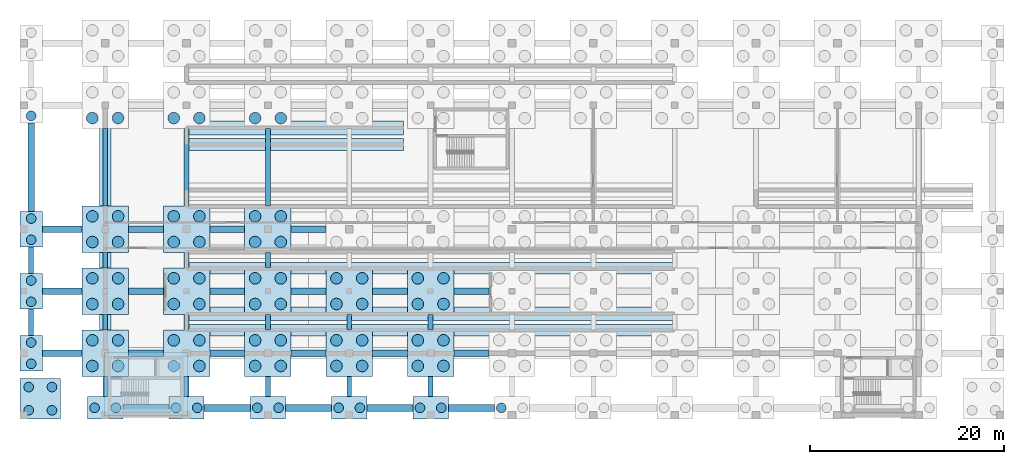
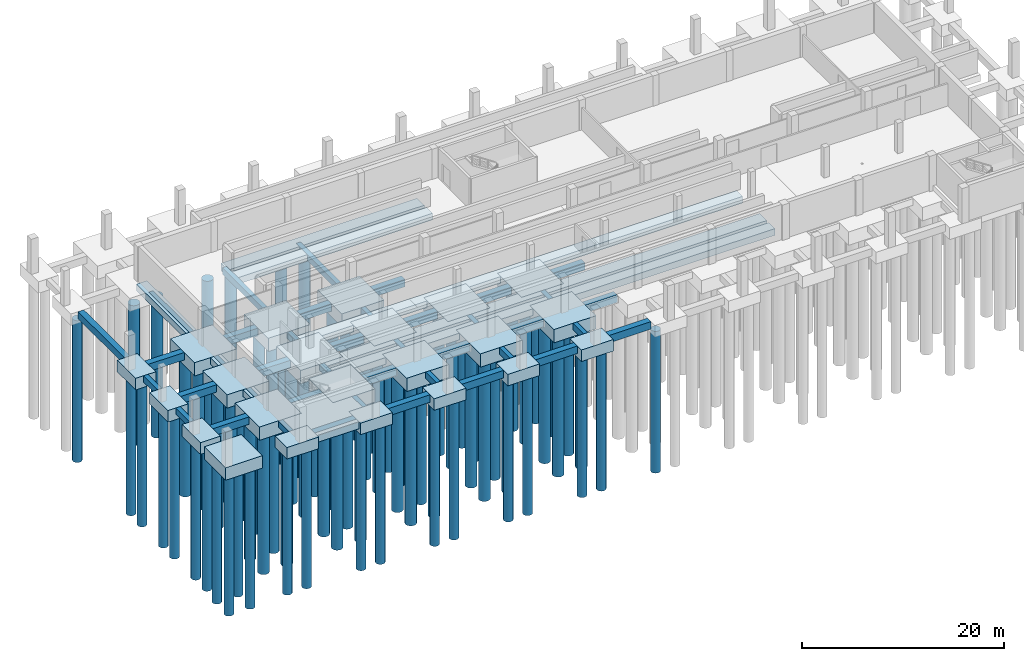
# One storey, part 1 of 9: 80 piles, 69 footings.
"""IFC4 building model written with IfcOpenShell, lengths in metres."""

from ifc_helpers import new_model, si_unit, direction, frame, origin, origin_2d, place, context, subcontext, project, spatial, polyline, rectangle, circle, outline, extrude, material, material_profile, profile_set, type_object, element, save


model = new_model("IFC4")

# Units and contexts
model_context = context("Model", 3, precision=1e-05, world=origin(), true_north=direction((0.0, 1.0)))
body_context = subcontext(model_context, "Body", "Model", "MODEL_VIEW")
ifc_project = project(units=[si_unit("LENGTHUNIT", "METRE"), si_unit("AREAUNIT", "SQUARE_METRE"), si_unit("VOLUMEUNIT", "CUBIC_METRE"), si_unit("PLANEANGLEUNIT", "RADIAN"), si_unit("MASSUNIT", "GRAM", prefix="KILO")], contexts=[model_context])

# Site, building, storey
site_placement = place(None, origin())
site = spatial("IfcSite", under=ifc_project, at=site_placement, CompositionType="ELEMENT")
building_placement = place(site_placement, origin())
building = spatial("IfcBuilding", under=site, at=building_placement, Name="Kazenagashi Tramway Depot", CompositionType="ELEMENT")
storey_placement = place(building_placement, frame((0.0, 0.0, -4.0)))
storey = spatial("IfcBuildingStorey", under=building, at=storey_placement, Name="B01", CompositionType="ELEMENT", Elevation=-4.0)

# Piles
ifc_material = material(Name="Concrete Fc30", Category="concrete")
ifc_material_profile_1 = material_profile(ifc_material, circle(Radius=0.5, at=origin_2d()), Name="PILE-1000")
ifc_profile_set_1 = profile_set([ifc_material_profile_1], Name="Concrete Fc30")
pile_type_1 = type_object("IfcPileType", Name="BP-01", PredefinedType="BORED", material=ifc_profile_set_1)
for number, where, z_axis, x_axis, name in (
    (1, (45.3, 17.0, -2.0), (0.0, 0.0, -1.0), (1.0, 0.0, 0.0), "Bored Pile BP-01 PILE-0209"),
    (2, (47.7, 17.0, -2.0), (0.0, 0.0, -1.0), (1.0, 0.0, 0.0), "Bored Pile BP-01 PILE-0210"),
    (3, (45.3, 19.4, -2.0), (0.0, 0.0, -1.0), (1.0, 0.0, 0.0), "Bored Pile BP-01 PILE-0211"),
    (4, (47.7, 19.4, -2.0), (0.0, 0.0, -1.0), (1.0, 0.0, 0.0), "Bored Pile BP-01 PILE-0212"),
):
    element("IfcPile", number, at=place(storey_placement, frame(where, z_axis=z_axis, x_axis=x_axis)), inside=storey, type_object=pile_type_1, Name=name, PredefinedType="BORED", context=body_context, shape_type="SweptSolid", body=[
        extrude(circle(Radius=0.5, at=origin_2d()), origin(), (0.0, 0.0, 1.0), 17.0),
    ])
for number, where, z_axis, x_axis, name in (
    (5, (45.55, 21.8, -1.9), (0.0, 0.0, -1.0), (1.0, 0.0, 0.0), "Bored Pile BP-01 PILE-0213"),
    (6, (45.55, 24.0, -1.9), (0.0, 0.0, -1.0), (1.0, 0.0, 0.0), "Bored Pile BP-01 PILE-0214"),
    (7, (45.55, 28.2, -1.9), (0.0, 0.0, -1.0), (1.0, 0.0, 0.0), "Bored Pile BP-01 PILE-0215"),
    (8, (45.55, 30.4, -1.9), (0.0, 0.0, -1.0), (1.0, 0.0, 0.0), "Bored Pile BP-01 PILE-0216"),
    (9, (45.55, 34.6, -1.9), (0.0, 0.0, -1.0), (1.0, 0.0, 0.0), "Bored Pile BP-01 PILE-0217"),
    (10, (45.55, 36.8, -1.9), (0.0, 0.0, -1.0), (1.0, 0.0, 0.0), "Bored Pile BP-01 PILE-0218"),
    (11, (45.55, 47.4, -1.9), (0.0, 0.0, -1.0), (1.0, 0.0, 0.0), "Bored Pile BP-01 PILE-0221"),
    (12, (52.1, 17.25, -1.9), (0.0, 0.0, -1.0), (1.0, 0.0, 0.0), "Bored Pile BP-01 PILE-0223"),
    (13, (54.3, 17.25, -1.9), (0.0, 0.0, -1.0), (1.0, 0.0, 0.0), "Bored Pile BP-01 PILE-0224"),
    (14, (60.5, 17.25, -1.9), (0.0, 0.0, -1.0), (1.0, 0.0, 0.0), "Bored Pile BP-01 PILE-0245"),
    (15, (62.7, 17.25, -1.9), (0.0, 0.0, -1.0), (1.0, 0.0, 0.0), "Bored Pile BP-01 PILE-0246"),
    (16, (68.9, 17.25, -1.9), (0.0, 0.0, -1.0), (1.0, 0.0, 0.0), "Bored Pile BP-01 PILE-0267"),
    (17, (71.1, 17.25, -1.9), (0.0, 0.0, -1.0), (1.0, 0.0, 0.0), "Bored Pile BP-01 PILE-0268"),
    (18, (77.3, 17.25, -1.9), (0.0, 0.0, -1.0), (1.0, 0.0, 0.0), "Bored Pile BP-01 PILE-0289"),
    (19, (79.5, 17.25, -1.9), (0.0, 0.0, -1.0), (1.0, 0.0, 0.0), "Bored Pile BP-01 PILE-0290"),
    (20, (85.7, 17.25, -1.9), (0.0, 0.0, -1.0), (1.0, 0.0, 0.0), "Bored Pile BP-01 PILE-0311"),
    (21, (87.9, 17.25, -1.9), (0.0, 0.0, -1.0), (1.0, 0.0, 0.0), "Bored Pile BP-01 PILE-0312"),
    (22, (94.1, 17.25, -1.9), (0.0, 0.0, -1.0), (1.0, 0.0, 0.0), "Bored Pile BP-01 PILE-0333"),
):
    element("IfcPile", number, at=place(storey_placement, frame(where, z_axis=z_axis, x_axis=x_axis)), inside=storey, type_object=pile_type_1, Name=name, PredefinedType="BORED", context=body_context, shape_type="SweptSolid", body=[
        extrude(circle(Radius=0.5, at=origin_2d()), origin(), (0.0, 0.0, 1.0), 17.1),
    ])
ifc_material_profile_2 = material_profile(ifc_material, circle(Radius=0.6, at=origin_2d()), Name="PILE-1200")
ifc_profile_set_2 = profile_set([ifc_material_profile_2], Name="Concrete Fc30")
pile_type_2 = type_object("IfcPileType", Name="BP-02", PredefinedType="BORED", material=ifc_profile_set_2)
for number, where, z_axis, x_axis, name in (
    (23, (51.875, 21.575, -2.1), (0.0, 0.0, -1.0), (1.0, 0.0, 0.0), "Bored Pile BP-02 PILE-0225"),
    (24, (54.525, 21.575, -2.1), (0.0, 0.0, -1.0), (1.0, 0.0, 0.0), "Bored Pile BP-02 PILE-0226"),
    (25, (51.875, 24.225, -2.1), (0.0, 0.0, -1.0), (1.0, 0.0, 0.0), "Bored Pile BP-02 PILE-0227"),
    (26, (54.525, 24.225, -2.1), (0.0, 0.0, -1.0), (1.0, 0.0, 0.0), "Bored Pile BP-02 PILE-0228"),
    (27, (51.875, 27.975, -2.1), (0.0, 0.0, -1.0), (1.0, 0.0, 0.0), "Bored Pile BP-02 PILE-0229"),
    (28, (54.525, 27.975, -2.1), (0.0, 0.0, -1.0), (1.0, 0.0, 0.0), "Bored Pile BP-02 PILE-0230"),
    (29, (51.875, 30.625, -2.1), (0.0, 0.0, -1.0), (1.0, 0.0, 0.0), "Bored Pile BP-02 PILE-0231"),
    (30, (54.525, 30.625, -2.1), (0.0, 0.0, -1.0), (1.0, 0.0, 0.0), "Bored Pile BP-02 PILE-0232"),
    (31, (51.875, 34.375, -2.1), (0.0, 0.0, -1.0), (1.0, 0.0, 0.0), "Bored Pile BP-02 PILE-0233"),
    (32, (54.525, 34.375, -2.1), (0.0, 0.0, -1.0), (1.0, 0.0, 0.0), "Bored Pile BP-02 PILE-0234"),
    (33, (51.875, 37.025, -2.1), (0.0, 0.0, -1.0), (1.0, 0.0, 0.0), "Bored Pile BP-02 PILE-0235"),
    (34, (54.525, 37.025, -2.1), (0.0, 0.0, -1.0), (1.0, 0.0, 0.0), "Bored Pile BP-02 PILE-0236"),
    (35, (51.875, 47.175, -2.1), (0.0, 0.0, -1.0), (1.0, 0.0, 0.0), "Bored Pile BP-02 PILE-0241"),
    (36, (54.525, 47.175, -2.1), (0.0, 0.0, -1.0), (1.0, 0.0, 0.0), "Bored Pile BP-02 PILE-0242"),
    (37, (60.275, 21.575, -2.1), (0.0, 0.0, -1.0), (1.0, 0.0, 0.0), "Bored Pile BP-02 PILE-0247"),
    (38, (62.925, 21.575, -2.1), (0.0, 0.0, -1.0), (1.0, 0.0, 0.0), "Bored Pile BP-02 PILE-0248"),
    (39, (60.275, 24.225, -2.1), (0.0, 0.0, -1.0), (1.0, 0.0, 0.0), "Bored Pile BP-02 PILE-0249"),
    (40, (62.925, 24.225, -2.1), (0.0, 0.0, -1.0), (1.0, 0.0, 0.0), "Bored Pile BP-02 PILE-0250"),
    (41, (60.275, 27.975, -2.1), (0.0, 0.0, -1.0), (1.0, 0.0, 0.0), "Bored Pile BP-02 PILE-0251"),
    (42, (62.925, 27.975, -2.1), (0.0, 0.0, -1.0), (1.0, 0.0, 0.0), "Bored Pile BP-02 PILE-0252"),
    (43, (60.275, 30.625, -2.1), (0.0, 0.0, -1.0), (1.0, 0.0, 0.0), "Bored Pile BP-02 PILE-0253"),
    (44, (62.925, 30.625, -2.1), (0.0, 0.0, -1.0), (1.0, 0.0, 0.0), "Bored Pile BP-02 PILE-0254"),
    (45, (60.275, 34.375, -2.1), (0.0, 0.0, -1.0), (1.0, 0.0, 0.0), "Bored Pile BP-02 PILE-0255"),
    (46, (62.925, 34.375, -2.1), (0.0, 0.0, -1.0), (1.0, 0.0, 0.0), "Bored Pile BP-02 PILE-0256"),
    (47, (60.275, 37.025, -2.1), (0.0, 0.0, -1.0), (1.0, 0.0, 0.0), "Bored Pile BP-02 PILE-0257"),
    (48, (62.925, 37.025, -2.1), (0.0, 0.0, -1.0), (1.0, 0.0, 0.0), "Bored Pile BP-02 PILE-0258"),
    (49, (60.275, 47.175, -2.1), (0.0, 0.0, -1.0), (1.0, 0.0, 0.0), "Bored Pile BP-02 PILE-0263"),
    (50, (62.925, 47.175, -2.1), (0.0, 0.0, -1.0), (1.0, 0.0, 0.0), "Bored Pile BP-02 PILE-0264"),
    (51, (68.675, 21.575, -2.1), (0.0, 0.0, -1.0), (1.0, 0.0, 0.0), "Bored Pile BP-02 PILE-0269"),
    (52, (71.325, 21.575, -2.1), (0.0, 0.0, -1.0), (1.0, 0.0, 0.0), "Bored Pile BP-02 PILE-0270"),
    (53, (68.675, 24.225, -2.1), (0.0, 0.0, -1.0), (1.0, 0.0, 0.0), "Bored Pile BP-02 PILE-0271"),
    (54, (71.325, 24.225, -2.1), (0.0, 0.0, -1.0), (1.0, 0.0, 0.0), "Bored Pile BP-02 PILE-0272"),
    (55, (68.675, 27.975, -2.1), (0.0, 0.0, -1.0), (1.0, 0.0, 0.0), "Bored Pile BP-02 PILE-0273"),
    (56, (71.325, 27.975, -2.1), (0.0, 0.0, -1.0), (1.0, 0.0, 0.0), "Bored Pile BP-02 PILE-0274"),
    (57, (68.675, 30.625, -2.1), (0.0, 0.0, -1.0), (1.0, 0.0, 0.0), "Bored Pile BP-02 PILE-0275"),
    (58, (71.325, 30.625, -2.1), (0.0, 0.0, -1.0), (1.0, 0.0, 0.0), "Bored Pile BP-02 PILE-0276"),
    (59, (68.675, 34.375, -2.1), (0.0, 0.0, -1.0), (1.0, 0.0, 0.0), "Bored Pile BP-02 PILE-0277"),
    (60, (71.325, 34.375, -2.1), (0.0, 0.0, -1.0), (1.0, 0.0, 0.0), "Bored Pile BP-02 PILE-0278"),
    (61, (68.675, 37.025, -2.1), (0.0, 0.0, -1.0), (1.0, 0.0, 0.0), "Bored Pile BP-02 PILE-0279"),
    (62, (71.325, 37.025, -2.1), (0.0, 0.0, -1.0), (1.0, 0.0, 0.0), "Bored Pile BP-02 PILE-0280"),
    (63, (68.675, 47.175, -2.1), (0.0, 0.0, -1.0), (1.0, 0.0, 0.0), "Bored Pile BP-02 PILE-0285"),
    (64, (71.325, 47.175, -2.1), (0.0, 0.0, -1.0), (1.0, 0.0, 0.0), "Bored Pile BP-02 PILE-0286"),
    (65, (77.075, 21.575, -2.1), (0.0, 0.0, -1.0), (1.0, 0.0, 0.0), "Bored Pile BP-02 PILE-0291"),
    (66, (79.725, 21.575, -2.1), (0.0, 0.0, -1.0), (1.0, 0.0, 0.0), "Bored Pile BP-02 PILE-0292"),
    (67, (77.075, 24.225, -2.1), (0.0, 0.0, -1.0), (1.0, 0.0, 0.0), "Bored Pile BP-02 PILE-0293"),
    (68, (79.725, 24.225, -2.1), (0.0, 0.0, -1.0), (1.0, 0.0, 0.0), "Bored Pile BP-02 PILE-0294"),
    (69, (77.075, 27.975, -2.1), (0.0, 0.0, -1.0), (1.0, 0.0, 0.0), "Bored Pile BP-02 PILE-0295"),
    (70, (79.725, 27.975, -2.1), (0.0, 0.0, -1.0), (1.0, 0.0, 0.0), "Bored Pile BP-02 PILE-0296"),
    (71, (77.075, 30.625, -2.1), (0.0, 0.0, -1.0), (1.0, 0.0, 0.0), "Bored Pile BP-02 PILE-0297"),
    (72, (79.725, 30.625, -2.1), (0.0, 0.0, -1.0), (1.0, 0.0, 0.0), "Bored Pile BP-02 PILE-0298"),
    (73, (85.475, 21.575, -2.1), (0.0, 0.0, -1.0), (1.0, 0.0, 0.0), "Bored Pile BP-02 PILE-0313"),
    (74, (88.125, 21.575, -2.1), (0.0, 0.0, -1.0), (1.0, 0.0, 0.0), "Bored Pile BP-02 PILE-0314"),
    (75, (85.475, 24.225, -2.1), (0.0, 0.0, -1.0), (1.0, 0.0, 0.0), "Bored Pile BP-02 PILE-0315"),
    (76, (88.125, 24.225, -2.1), (0.0, 0.0, -1.0), (1.0, 0.0, 0.0), "Bored Pile BP-02 PILE-0316"),
    (77, (85.475, 27.975, -2.1), (0.0, 0.0, -1.0), (1.0, 0.0, 0.0), "Bored Pile BP-02 PILE-0317"),
    (78, (88.125, 27.975, -2.1), (0.0, 0.0, -1.0), (1.0, 0.0, 0.0), "Bored Pile BP-02 PILE-0318"),
    (79, (85.475, 30.625, -2.1), (0.0, 0.0, -1.0), (1.0, 0.0, 0.0), "Bored Pile BP-02 PILE-0319"),
    (80, (88.125, 30.625, -2.1), (0.0, 0.0, -1.0), (1.0, 0.0, 0.0), "Bored Pile BP-02 PILE-0320"),
):
    element("IfcPile", number, at=place(storey_placement, frame(where, z_axis=z_axis, x_axis=x_axis)), inside=storey, type_object=pile_type_2, Name=name, PredefinedType="BORED", context=body_context, shape_type="SweptSolid", body=[
        extrude(circle(Radius=0.6, at=origin_2d()), origin(), (0.0, 0.0, 1.0), 16.9),
    ])

# Footings
footing_type_1 = type_object("IfcFootingType", Name="FB-02", PredefinedType="FOOTING_BEAM", material=ifc_material)
footing_1_placement = place(storey_placement, frame((0.0, 0.0, -1.5)))
element("IfcFooting", 81, at=footing_1_placement, inside=storey, type_object=footing_type_1, Name="Footing Tie Beam FB-0426", PredefinedType="FOOTING_BEAM", context=body_context, shape_type="SweptSolid", body=[
    extrude(outline(polyline([(55.02, 16.9), (59.78, 16.9), (59.78, 17.6), (55.02, 17.6), (55.02, 16.9)])), origin(), (0.0, 0.0, 1.0), 0.9),
])
footing_2_placement = place(storey_placement, frame((0.0, 0.0, -1.5)))
element("IfcFooting", 82, at=footing_2_placement, inside=storey, type_object=footing_type_1, Name="Footing Tie Beam FB-0427", PredefinedType="FOOTING_BEAM", context=body_context, shape_type="SweptSolid", body=[
    extrude(outline(polyline([(63.42, 16.9), (68.18, 16.9), (68.18, 17.6), (63.42, 17.6), (63.42, 16.9)])), origin(), (0.0, 0.0, 1.0), 0.9),
])
footing_3_placement = place(storey_placement, frame((0.0, 0.0, -1.5)))
element("IfcFooting", 83, at=footing_3_placement, inside=storey, type_object=footing_type_1, Name="Footing Tie Beam FB-0428", PredefinedType="FOOTING_BEAM", context=body_context, shape_type="SweptSolid", body=[
    extrude(outline(polyline([(71.82, 16.9), (76.58, 16.9), (76.58, 17.6), (71.82, 17.6), (71.82, 16.9)])), origin(), (0.0, 0.0, 1.0), 0.9),
])
footing_4_placement = place(storey_placement, frame((0.0, 0.0, -1.5)))
element("IfcFooting", 84, at=footing_4_placement, inside=storey, type_object=footing_type_1, Name="Footing Tie Beam FB-0429", PredefinedType="FOOTING_BEAM", context=body_context, shape_type="SweptSolid", body=[
    extrude(outline(polyline([(80.22, 16.9), (84.98, 16.9), (84.98, 17.6), (80.22, 17.6), (80.22, 16.9)])), origin(), (0.0, 0.0, 1.0), 0.9),
])
footing_5_placement = place(storey_placement, frame((0.0, 0.0, -1.5)))
element("IfcFooting", 85, at=footing_5_placement, inside=storey, type_object=footing_type_1, Name="Footing Tie Beam FB-0430", PredefinedType="FOOTING_BEAM", context=body_context, shape_type="SweptSolid", body=[
    extrude(outline(polyline([(88.62, 16.9), (93.38, 16.9), (93.38, 17.6), (88.62, 17.6), (88.62, 16.9)])), origin(), (0.0, 0.0, 1.0), 0.9),
])
footing_6_placement = place(storey_placement, frame((0.0, 0.0, -1.5)))
element("IfcFooting", 86, at=footing_6_placement, inside=storey, type_object=footing_type_1, Name="Footing Tie Beam FB-0436", PredefinedType="FOOTING_BEAM", context=body_context, shape_type="SweptSolid", body=[
    extrude(outline(polyline([(46.7, 22.55), (50.8, 22.55), (50.8, 23.25), (46.7, 23.25), (46.7, 22.55)])), origin(), (0.0, 0.0, 1.0), 0.9),
])
footing_7_placement = place(storey_placement, frame((0.0, 0.0, -1.5)))
element("IfcFooting", 87, at=footing_7_placement, inside=storey, type_object=footing_type_1, Name="Footing Tie Beam FB-0437", PredefinedType="FOOTING_BEAM", context=body_context, shape_type="SweptSolid", body=[
    extrude(outline(polyline([(55.6, 22.55), (59.2, 22.55), (59.2, 23.25), (55.6, 23.25), (55.6, 22.55)])), origin(), (0.0, 0.0, 1.0), 0.9),
])
footing_8_placement = place(storey_placement, frame((0.0, 0.0, -1.5)))
element("IfcFooting", 88, at=footing_8_placement, inside=storey, type_object=footing_type_1, Name="Footing Tie Beam FB-0438", PredefinedType="FOOTING_BEAM", context=body_context, shape_type="SweptSolid", body=[
    extrude(outline(polyline([(64.0, 22.55), (67.6, 22.55), (67.6, 23.25), (64.0, 23.25), (64.0, 22.55)])), origin(), (0.0, 0.0, 1.0), 0.9),
])
footing_9_placement = place(storey_placement, frame((0.0, 0.0, -1.5)))
element("IfcFooting", 89, at=footing_9_placement, inside=storey, type_object=footing_type_1, Name="Footing Tie Beam FB-0439", PredefinedType="FOOTING_BEAM", context=body_context, shape_type="SweptSolid", body=[
    extrude(outline(polyline([(72.4, 22.55), (76.0, 22.55), (76.0, 23.25), (72.4, 23.25), (72.4, 22.55)])), origin(), (0.0, 0.0, 1.0), 0.9),
])
footing_10_placement = place(storey_placement, frame((0.0, 0.0, -1.5)))
element("IfcFooting", 90, at=footing_10_placement, inside=storey, type_object=footing_type_1, Name="Footing Tie Beam FB-0440", PredefinedType="FOOTING_BEAM", context=body_context, shape_type="SweptSolid", body=[
    extrude(outline(polyline([(80.8, 22.55), (84.4, 22.55), (84.4, 23.25), (80.8, 23.25), (80.8, 22.55)])), origin(), (0.0, 0.0, 1.0), 0.9),
])
footing_11_placement = place(storey_placement, frame((0.0, 0.0, -1.5)))
element("IfcFooting", 91, at=footing_11_placement, inside=storey, type_object=footing_type_1, Name="Footing Tie Beam FB-0441", PredefinedType="FOOTING_BEAM", context=body_context, shape_type="SweptSolid", body=[
    extrude(outline(polyline([(89.2, 22.55), (92.8, 22.55), (92.8, 23.25), (89.2, 23.25), (89.2, 22.55)])), origin(), (0.0, 0.0, 1.0), 0.9),
])
footing_12_placement = place(storey_placement, frame((0.0, 0.0, -1.5)))
element("IfcFooting", 92, at=footing_12_placement, inside=storey, type_object=footing_type_1, Name="Footing Tie Beam FB-0448", PredefinedType="FOOTING_BEAM", context=body_context, shape_type="SweptSolid", body=[
    extrude(outline(polyline([(46.7, 28.95), (50.8, 28.95), (50.8, 29.65), (46.7, 29.65), (46.7, 28.95)])), origin(), (0.0, 0.0, 1.0), 0.9),
])
footing_13_placement = place(storey_placement, frame((0.0, 0.0, -1.5)))
element("IfcFooting", 93, at=footing_13_placement, inside=storey, type_object=footing_type_1, Name="Footing Tie Beam FB-0449", PredefinedType="FOOTING_BEAM", context=body_context, shape_type="SweptSolid", body=[
    extrude(outline(polyline([(55.6, 28.95), (59.2, 28.95), (59.2, 29.65), (55.6, 29.65), (55.6, 28.95)])), origin(), (0.0, 0.0, 1.0), 0.9),
])
footing_14_placement = place(storey_placement, frame((0.0, 0.0, -1.5)))
element("IfcFooting", 94, at=footing_14_placement, inside=storey, type_object=footing_type_1, Name="Footing Tie Beam FB-0450", PredefinedType="FOOTING_BEAM", context=body_context, shape_type="SweptSolid", body=[
    extrude(outline(polyline([(64.0, 28.95), (67.6, 28.95), (67.6, 29.65), (64.0, 29.65), (64.0, 28.95)])), origin(), (0.0, 0.0, 1.0), 0.9),
])
footing_15_placement = place(storey_placement, frame((0.0, 0.0, -1.5)))
element("IfcFooting", 95, at=footing_15_placement, inside=storey, type_object=footing_type_1, Name="Footing Tie Beam FB-0451", PredefinedType="FOOTING_BEAM", context=body_context, shape_type="SweptSolid", body=[
    extrude(outline(polyline([(72.4, 28.95), (76.0, 28.95), (76.0, 29.65), (72.4, 29.65), (72.4, 28.95)])), origin(), (0.0, 0.0, 1.0), 0.9),
])
footing_16_placement = place(storey_placement, frame((0.0, 0.0, -1.5)))
element("IfcFooting", 96, at=footing_16_placement, inside=storey, type_object=footing_type_1, Name="Footing Tie Beam FB-0452", PredefinedType="FOOTING_BEAM", context=body_context, shape_type="SweptSolid", body=[
    extrude(outline(polyline([(80.8, 28.95), (84.4, 28.95), (84.4, 29.65), (80.8, 29.65), (80.8, 28.95)])), origin(), (0.0, 0.0, 1.0), 0.9),
])
footing_17_placement = place(storey_placement, frame((0.0, 0.0, -1.5)))
element("IfcFooting", 97, at=footing_17_placement, inside=storey, type_object=footing_type_1, Name="Footing Tie Beam FB-0453", PredefinedType="FOOTING_BEAM", context=body_context, shape_type="SweptSolid", body=[
    extrude(outline(polyline([(89.2, 28.95), (92.8, 28.95), (92.8, 29.65), (89.2, 29.65), (89.2, 28.95)])), origin(), (0.0, 0.0, 1.0), 0.9),
])
footing_18_placement = place(storey_placement, frame((0.0, 0.0, -1.5)))
element("IfcFooting", 98, at=footing_18_placement, inside=storey, type_object=footing_type_1, Name="Footing Tie Beam FB-0460", PredefinedType="FOOTING_BEAM", context=body_context, shape_type="SweptSolid", body=[
    extrude(outline(polyline([(46.7, 35.35), (50.8, 35.35), (50.8, 36.05), (46.7, 36.05), (46.7, 35.35)])), origin(), (0.0, 0.0, 1.0), 0.9),
])
footing_19_placement = place(storey_placement, frame((0.0, 0.0, -1.5)))
element("IfcFooting", 99, at=footing_19_placement, inside=storey, type_object=footing_type_1, Name="Footing Tie Beam FB-0461", PredefinedType="FOOTING_BEAM", context=body_context, shape_type="SweptSolid", body=[
    extrude(outline(polyline([(55.6, 35.35), (59.2, 35.35), (59.2, 36.05), (55.6, 36.05), (55.6, 35.35)])), origin(), (0.0, 0.0, 1.0), 0.9),
])
footing_20_placement = place(storey_placement, frame((0.0, 0.0, -1.5)))
element("IfcFooting", 100, at=footing_20_placement, inside=storey, type_object=footing_type_1, Name="Footing Tie Beam FB-0462", PredefinedType="FOOTING_BEAM", context=body_context, shape_type="SweptSolid", body=[
    extrude(outline(polyline([(64.0, 35.35), (67.6, 35.35), (67.6, 36.05), (64.0, 36.05), (64.0, 35.35)])), origin(), (0.0, 0.0, 1.0), 0.9),
])
footing_21_placement = place(storey_placement, frame((0.0, 0.0, -1.5)))
element("IfcFooting", 101, at=footing_21_placement, inside=storey, type_object=footing_type_1, Name="Footing Tie Beam FB-0463", PredefinedType="FOOTING_BEAM", context=body_context, shape_type="SweptSolid", body=[
    extrude(outline(polyline([(72.4, 35.35), (76.0, 35.35), (76.0, 36.05), (72.4, 36.05), (72.4, 35.35)])), origin(), (0.0, 0.0, 1.0), 0.9),
])
footing_type_2 = type_object("IfcFootingType", Name="FB-03", PredefinedType="FOOTING_BEAM", material=ifc_material)
footing_22_placement = place(storey_placement, frame((0.0, 0.0, -1.35)))
element("IfcFooting", 102, at=footing_22_placement, inside=storey, type_object=footing_type_2, Name="Footing Tie Beam FB-0496", PredefinedType="FOOTING_BEAM", context=body_context, shape_type="SweptSolid", body=[
    extrude(outline(polyline([(45.3, 24.72), (45.8, 24.72), (45.8, 27.48), (45.3, 27.48), (45.3, 24.72)])), origin(), (0.0, 0.0, 1.0), 0.75),
])
footing_23_placement = place(storey_placement, frame((0.0, 0.0, -1.35)))
element("IfcFooting", 103, at=footing_23_placement, inside=storey, type_object=footing_type_2, Name="Footing Tie Beam FB-0497", PredefinedType="FOOTING_BEAM", context=body_context, shape_type="SweptSolid", body=[
    extrude(outline(polyline([(45.3, 31.12), (45.8, 31.12), (45.8, 33.88), (45.3, 33.88), (45.3, 31.12)])), origin(), (0.0, 0.0, 1.0), 0.75),
])
footing_24_placement = place(storey_placement, frame((0.0, 0.0, -1.35)))
element("IfcFooting", 104, at=footing_24_placement, inside=storey, type_object=footing_type_2, Name="Footing Tie Beam FB-0500", PredefinedType="FOOTING_BEAM", context=body_context, shape_type="SweptSolid", body=[
    extrude(outline(polyline([(52.95, 18.4), (53.45, 18.4), (53.45, 20.5), (52.95, 20.5), (52.95, 18.4)])), origin(), (0.0, 0.0, 1.0), 0.75),
])
footing_25_placement = place(storey_placement, frame((0.0, 0.0, -1.35)))
element("IfcFooting", 105, at=footing_25_placement, inside=storey, type_object=footing_type_2, Name="Footing Tie Beam FB-0501", PredefinedType="FOOTING_BEAM", context=body_context, shape_type="SweptSolid", body=[
    extrude(outline(polyline([(52.95, 25.3), (53.45, 25.3), (53.45, 26.9), (52.95, 26.9), (52.95, 25.3)])), origin(), (0.0, 0.0, 1.0), 0.75),
])
footing_26_placement = place(storey_placement, frame((0.0, 0.0, -1.35)))
element("IfcFooting", 106, at=footing_26_placement, inside=storey, type_object=footing_type_2, Name="Footing Tie Beam FB-0502", PredefinedType="FOOTING_BEAM", context=body_context, shape_type="SweptSolid", body=[
    extrude(outline(polyline([(52.95, 31.7), (53.45, 31.7), (53.45, 33.3), (52.95, 33.3), (52.95, 31.7)])), origin(), (0.0, 0.0, 1.0), 0.75),
])
footing_27_placement = place(storey_placement, frame((0.0, 0.0, -1.35)))
element("IfcFooting", 107, at=footing_27_placement, inside=storey, type_object=footing_type_2, Name="Footing Tie Beam FB-0503", PredefinedType="FOOTING_BEAM", context=body_context, shape_type="SweptSolid", body=[
    extrude(outline(polyline([(52.95, 38.1), (53.45, 38.1), (53.45, 46.1), (52.95, 46.1), (52.95, 38.1)])), origin(), (0.0, 0.0, 1.0), 0.75),
])
footing_28_placement = place(storey_placement, frame((0.0, 0.0, -1.35)))
element("IfcFooting", 108, at=footing_28_placement, inside=storey, type_object=footing_type_2, Name="Footing Tie Beam FB-0505", PredefinedType="FOOTING_BEAM", context=body_context, shape_type="SweptSolid", body=[
    extrude(outline(polyline([(61.35, 18.4), (61.85, 18.4), (61.85, 20.5), (61.35, 20.5), (61.35, 18.4)])), origin(), (0.0, 0.0, 1.0), 0.75),
])
footing_29_placement = place(storey_placement, frame((0.0, 0.0, -1.35)))
element("IfcFooting", 109, at=footing_29_placement, inside=storey, type_object=footing_type_2, Name="Footing Tie Beam FB-0506", PredefinedType="FOOTING_BEAM", context=body_context, shape_type="SweptSolid", body=[
    extrude(outline(polyline([(61.35, 25.3), (61.85, 25.3), (61.85, 26.9), (61.35, 26.9), (61.35, 25.3)])), origin(), (0.0, 0.0, 1.0), 0.75),
])
footing_30_placement = place(storey_placement, frame((0.0, 0.0, -1.35)))
element("IfcFooting", 110, at=footing_30_placement, inside=storey, type_object=footing_type_2, Name="Footing Tie Beam FB-0507", PredefinedType="FOOTING_BEAM", context=body_context, shape_type="SweptSolid", body=[
    extrude(outline(polyline([(61.35, 31.7), (61.85, 31.7), (61.85, 33.3), (61.35, 33.3), (61.35, 31.7)])), origin(), (0.0, 0.0, 1.0), 0.75),
])
footing_31_placement = place(storey_placement, frame((0.0, 0.0, -1.35)))
element("IfcFooting", 111, at=footing_31_placement, inside=storey, type_object=footing_type_2, Name="Footing Tie Beam FB-0508", PredefinedType="FOOTING_BEAM", context=body_context, shape_type="SweptSolid", body=[
    extrude(outline(polyline([(61.35, 38.1), (61.85, 38.1), (61.85, 46.1), (61.35, 46.1), (61.35, 38.1)])), origin(), (0.0, 0.0, 1.0), 0.75),
])
footing_32_placement = place(storey_placement, frame((0.0, 0.0, -1.35)))
element("IfcFooting", 112, at=footing_32_placement, inside=storey, type_object=footing_type_2, Name="Footing Tie Beam FB-0510", PredefinedType="FOOTING_BEAM", context=body_context, shape_type="SweptSolid", body=[
    extrude(outline(polyline([(69.75, 18.4), (70.25, 18.4), (70.25, 20.5), (69.75, 20.5), (69.75, 18.4)])), origin(), (0.0, 0.0, 1.0), 0.75),
])
footing_33_placement = place(storey_placement, frame((0.0, 0.0, -1.35)))
element("IfcFooting", 113, at=footing_33_placement, inside=storey, type_object=footing_type_2, Name="Footing Tie Beam FB-0511", PredefinedType="FOOTING_BEAM", context=body_context, shape_type="SweptSolid", body=[
    extrude(outline(polyline([(69.75, 25.3), (70.25, 25.3), (70.25, 26.9), (69.75, 26.9), (69.75, 25.3)])), origin(), (0.0, 0.0, 1.0), 0.75),
])
footing_34_placement = place(storey_placement, frame((0.0, 0.0, -1.35)))
element("IfcFooting", 114, at=footing_34_placement, inside=storey, type_object=footing_type_2, Name="Footing Tie Beam FB-0512", PredefinedType="FOOTING_BEAM", context=body_context, shape_type="SweptSolid", body=[
    extrude(outline(polyline([(69.75, 31.7), (70.25, 31.7), (70.25, 33.3), (69.75, 33.3), (69.75, 31.7)])), origin(), (0.0, 0.0, 1.0), 0.75),
])
footing_35_placement = place(storey_placement, frame((0.0, 0.0, -1.35)))
element("IfcFooting", 115, at=footing_35_placement, inside=storey, type_object=footing_type_2, Name="Footing Tie Beam FB-0513", PredefinedType="FOOTING_BEAM", context=body_context, shape_type="SweptSolid", body=[
    extrude(outline(polyline([(69.75, 38.1), (70.25, 38.1), (70.25, 46.1), (69.75, 46.1), (69.75, 38.1)])), origin(), (0.0, 0.0, 1.0), 0.75),
])
footing_36_placement = place(storey_placement, frame((0.0, 0.0, -1.35)))
element("IfcFooting", 116, at=footing_36_placement, inside=storey, type_object=footing_type_2, Name="Footing Tie Beam FB-0515", PredefinedType="FOOTING_BEAM", context=body_context, shape_type="SweptSolid", body=[
    extrude(outline(polyline([(78.15, 18.4), (78.65, 18.4), (78.65, 20.5), (78.15, 20.5), (78.15, 18.4)])), origin(), (0.0, 0.0, 1.0), 0.75),
])
footing_37_placement = place(storey_placement, frame((0.0, 0.0, -1.35)))
element("IfcFooting", 117, at=footing_37_placement, inside=storey, type_object=footing_type_2, Name="Footing Tie Beam FB-0516", PredefinedType="FOOTING_BEAM", context=body_context, shape_type="SweptSolid", body=[
    extrude(outline(polyline([(78.15, 25.3), (78.65, 25.3), (78.65, 26.9), (78.15, 26.9), (78.15, 25.3)])), origin(), (0.0, 0.0, 1.0), 0.75),
])
footing_38_placement = place(storey_placement, frame((0.0, 0.0, -1.35)))
element("IfcFooting", 118, at=footing_38_placement, inside=storey, type_object=footing_type_2, Name="Footing Tie Beam FB-0520", PredefinedType="FOOTING_BEAM", context=body_context, shape_type="SweptSolid", body=[
    extrude(outline(polyline([(86.55, 18.4), (87.05, 18.4), (87.05, 20.5), (86.55, 20.5), (86.55, 18.4)])), origin(), (0.0, 0.0, 1.0), 0.75),
])
footing_39_placement = place(storey_placement, frame((0.0, 0.0, -1.35)))
element("IfcFooting", 119, at=footing_39_placement, inside=storey, type_object=footing_type_2, Name="Footing Tie Beam FB-0521", PredefinedType="FOOTING_BEAM", context=body_context, shape_type="SweptSolid", body=[
    extrude(outline(polyline([(86.55, 25.3), (87.05, 25.3), (87.05, 26.9), (86.55, 26.9), (86.55, 25.3)])), origin(), (0.0, 0.0, 1.0), 0.75),
])
footing_type_3 = type_object("IfcFootingType", Name="FB-04", PredefinedType="FOOTING_BEAM", material=ifc_material)
footing_40_placement = place(storey_placement, frame((0.0, 0.0, -1.45)))
element("IfcFooting", 120, at=footing_40_placement, inside=storey, type_object=footing_type_3, Name="Footing Tie Beam FB-0498", PredefinedType="FOOTING_BEAM", context=body_context, shape_type="SweptSolid", body=[
    extrude(outline(polyline([(45.225, 37.52), (45.875, 37.52), (45.875, 46.68), (45.225, 46.68), (45.225, 37.52)])), origin(), (0.0, 0.0, 1.0), 0.85),
])
footing_type_4 = type_object("IfcFootingType", Name="PC-06", PredefinedType="PILE_CAP", material=ifc_material)
for number, where, z_axis, x_axis, name in (
    (121, (53.2, 22.9, -2.2), (0.0, 0.0, 1.0), (1.0, 0.0, 0.0), "Pile Cap PC-06 CAP-093"),
    (122, (53.2, 29.3, -2.2), (0.0, 0.0, 1.0), (1.0, 0.0, 0.0), "Pile Cap PC-06 CAP-094"),
    (123, (53.2, 35.7, -2.2), (0.0, 0.0, 1.0), (1.0, 0.0, 0.0), "Pile Cap PC-06 CAP-095"),
    (124, (61.6, 22.9, -2.2), (0.0, 0.0, 1.0), (1.0, 0.0, 0.0), "Pile Cap PC-06 CAP-099"),
    (125, (61.6, 29.3, -2.2), (0.0, 0.0, 1.0), (1.0, 0.0, 0.0), "Pile Cap PC-06 CAP-100"),
    (126, (61.6, 35.7, -2.2), (0.0, 0.0, 1.0), (1.0, 0.0, 0.0), "Pile Cap PC-06 CAP-101"),
    (127, (70.0, 22.9, -2.2), (0.0, 0.0, 1.0), (1.0, 0.0, 0.0), "Pile Cap PC-06 CAP-105"),
    (128, (70.0, 29.3, -2.2), (0.0, 0.0, 1.0), (1.0, 0.0, 0.0), "Pile Cap PC-06 CAP-106"),
    (129, (70.0, 35.7, -2.2), (0.0, 0.0, 1.0), (1.0, 0.0, 0.0), "Pile Cap PC-06 CAP-107"),
    (130, (78.4, 22.9, -2.2), (0.0, 0.0, 1.0), (1.0, 0.0, 0.0), "Pile Cap PC-06 CAP-111"),
    (131, (78.4, 29.3, -2.2), (0.0, 0.0, 1.0), (1.0, 0.0, 0.0), "Pile Cap PC-06 CAP-112"),
    (132, (86.8, 22.9, -2.2), (0.0, 0.0, 1.0), (1.0, 0.0, 0.0), "Pile Cap PC-06 CAP-117"),
    (133, (86.8, 29.3, -2.2), (0.0, 0.0, 1.0), (1.0, 0.0, 0.0), "Pile Cap PC-06 CAP-118"),
):
    element("IfcFooting", number, at=place(storey_placement, frame(where, z_axis=z_axis, x_axis=x_axis)), inside=storey, type_object=footing_type_4, Name=name, PredefinedType="PILE_CAP", context=body_context, shape_type="SweptSolid", body=[
        extrude(rectangle(XDim=4.8, YDim=4.8, at=origin_2d()), origin(), (0.0, 0.0, 1.0), 1.6),
    ])
footing_type_5 = type_object("IfcFootingType", Name="PC-08", PredefinedType="PILE_CAP", material=ifc_material)
footing_41_placement = place(storey_placement, frame((46.5, 18.2, -2.1), z_axis=(0.0, 0.0, 1.0), x_axis=(1.0, 0.0, 0.0)))
element("IfcFooting", 134, at=footing_41_placement, inside=storey, type_object=footing_type_5, Name="Pile Cap PC-08 CAP-086", PredefinedType="PILE_CAP", context=body_context, shape_type="SweptSolid", body=[
    extrude(rectangle(XDim=4.2, YDim=4.2, at=origin_2d()), origin(), (0.0, 0.0, 1.0), 1.5),
])
footing_type_6 = type_object("IfcFootingType", Name="PC-11", PredefinedType="PILE_CAP", material=ifc_material)
for number, where, z_axis, x_axis, name in (
    (135, (45.55, 22.9, -2.0), (0.0, 0.0, 1.0), (1.0, 0.0, 0.0), "Pile Cap PC-11 CAP-087"),
    (136, (45.55, 29.3, -2.0), (0.0, 0.0, 1.0), (1.0, 0.0, 0.0), "Pile Cap PC-11 CAP-088"),
    (137, (45.55, 35.7, -2.0), (0.0, 0.0, 1.0), (1.0, 0.0, 0.0), "Pile Cap PC-11 CAP-089"),
):
    element("IfcFooting", number, at=place(storey_placement, frame(where, z_axis=z_axis, x_axis=x_axis)), inside=storey, type_object=footing_type_6, Name=name, PredefinedType="PILE_CAP", context=body_context, shape_type="SweptSolid", body=[
        extrude(rectangle(XDim=2.3, YDim=3.64, at=origin_2d()), origin(), (0.0, 0.0, 1.0), 1.4),
    ])
footing_type_7 = type_object("IfcFootingType", Name="PC-12", PredefinedType="PILE_CAP", material=ifc_material)
for number, where, z_axis, x_axis, name in (
    (138, (53.2, 17.25, -2.0), (0.0, 0.0, 1.0), (1.0, 0.0, 0.0), "Pile Cap PC-12 CAP-092"),
    (139, (61.6, 17.25, -2.0), (0.0, 0.0, 1.0), (1.0, 0.0, 0.0), "Pile Cap PC-12 CAP-098"),
    (140, (70.0, 17.25, -2.0), (0.0, 0.0, 1.0), (1.0, 0.0, 0.0), "Pile Cap PC-12 CAP-104"),
    (141, (78.4, 17.25, -2.0), (0.0, 0.0, 1.0), (1.0, 0.0, 0.0), "Pile Cap PC-12 CAP-110"),
    (142, (86.8, 17.25, -2.0), (0.0, 0.0, 1.0), (1.0, 0.0, 0.0), "Pile Cap PC-12 CAP-116"),
):
    element("IfcFooting", number, at=place(storey_placement, frame(where, z_axis=z_axis, x_axis=x_axis)), inside=storey, type_object=footing_type_7, Name=name, PredefinedType="PILE_CAP", context=body_context, shape_type="SweptSolid", body=[
        extrude(rectangle(XDim=3.64, YDim=2.3, at=origin_2d()), origin(), (0.0, 0.0, 1.0), 1.4),
    ])
footing_type_8 = type_object("IfcFootingType", Name="SF-01", PredefinedType="STRIP_FOOTING", material=ifc_material)
footing_42_placement = place(storey_placement, frame((0.0, 0.0, -1.4)))
element("IfcFooting", 143, at=footing_42_placement, inside=storey, type_object=footing_type_8, Name="Pit Foundation Strip Footing SF-001", PredefinedType="STRIP_FOOTING", context=body_context, shape_type="SweptSolid", body=[
    extrude(outline(polyline([(61.6, 24.65), (112.0, 24.65), (112.0, 25.85), (61.6, 25.85), (61.6, 24.65)])), origin(), (0.0, 0.0, 1.0), 0.8),
])
footing_43_placement = place(storey_placement, frame((0.0, 0.0, -1.4)))
element("IfcFooting", 144, at=footing_43_placement, inside=storey, type_object=footing_type_8, Name="Pit Foundation Strip Footing SF-003", PredefinedType="STRIP_FOOTING", context=body_context, shape_type="SweptSolid", body=[
    extrude(outline(polyline([(61.6, 31.05), (112.0, 31.05), (112.0, 32.25), (61.6, 32.25), (61.6, 31.05)])), origin(), (0.0, 0.0, 1.0), 0.8),
])
footing_44_placement = place(storey_placement, frame((0.0, 0.0, -1.4)))
element("IfcFooting", 145, at=footing_44_placement, inside=storey, type_object=footing_type_8, Name="Pit Foundation Strip Footing SF-007", PredefinedType="STRIP_FOOTING", context=body_context, shape_type="SweptSolid", body=[
    extrude(outline(polyline([(61.6, 43.85), (84.0, 43.85), (84.0, 45.05), (61.6, 45.05), (61.6, 43.85)])), origin(), (0.0, 0.0, 1.0), 0.8),
])
footing_45_placement = place(storey_placement, frame((0.0, 0.0, -1.4)))
element("IfcFooting", 146, at=footing_45_placement, inside=storey, type_object=footing_type_8, Name="Retaining Wall Strip Footing SF-026", PredefinedType="STRIP_FOOTING", context=body_context, shape_type="SweptSolid", body=[
    extrude(outline(polyline([(52.6, 23.5), (53.8, 23.5), (53.8, 47.9), (52.6, 47.9), (52.6, 23.5)])), origin(), (0.0, 0.0, 1.0), 0.8),
])
footing_type_9 = type_object("IfcFootingType", Name="SF-02", PredefinedType="STRIP_FOOTING", material=ifc_material)
footing_46_placement = place(storey_placement, frame((0.0, 0.0, -1.5)))
element("IfcFooting", 147, at=footing_46_placement, inside=storey, type_object=footing_type_9, Name="Pit Foundation Strip Footing SF-002", PredefinedType="STRIP_FOOTING", context=body_context, shape_type="SweptSolid", body=[
    extrude(outline(polyline([(61.6, 26.25), (112.0, 26.25), (112.0, 27.65), (61.6, 27.65), (61.6, 26.25)])), origin(), (0.0, 0.0, 1.0), 0.9),
])
footing_47_placement = place(storey_placement, frame((0.0, 0.0, -1.5)))
element("IfcFooting", 148, at=footing_47_placement, inside=storey, type_object=footing_type_9, Name="Pit Foundation Strip Footing SF-008", PredefinedType="STRIP_FOOTING", context=body_context, shape_type="SweptSolid", body=[
    extrude(outline(polyline([(61.6, 45.45), (84.0, 45.45), (84.0, 46.85), (61.6, 46.85), (61.6, 45.45)])), origin(), (0.0, 0.0, 1.0), 0.9),
])
footing_48_placement = place(storey_placement, frame((0.0, 0.0, -1.45)))
element("IfcFooting", 149, at=footing_48_placement, inside=storey, type_object=footing_type_9, Name="Core Foundation Mat Strip SF-017", PredefinedType="STRIP_FOOTING", context=body_context, shape_type="SweptSolid", body=[
    extrude(outline(polyline([(53.1, 16.4), (61.7, 16.4), (61.7, 23.0), (53.1, 23.0), (53.1, 16.4)])), origin(), (0.0, 0.0, 1.0), 0.85),
])

save(model, "model.ifc")
